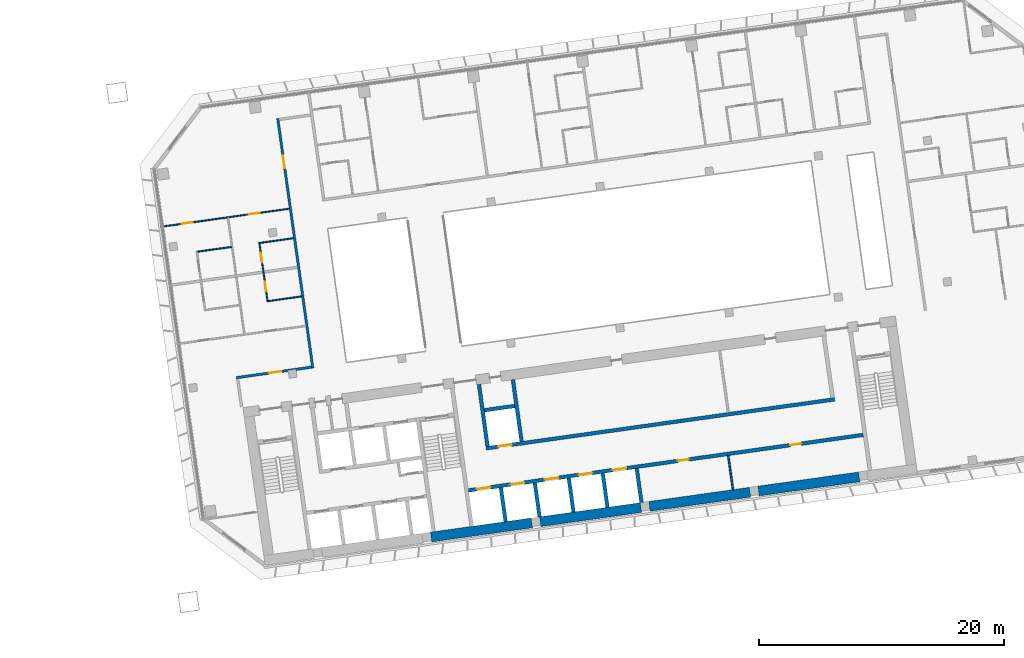
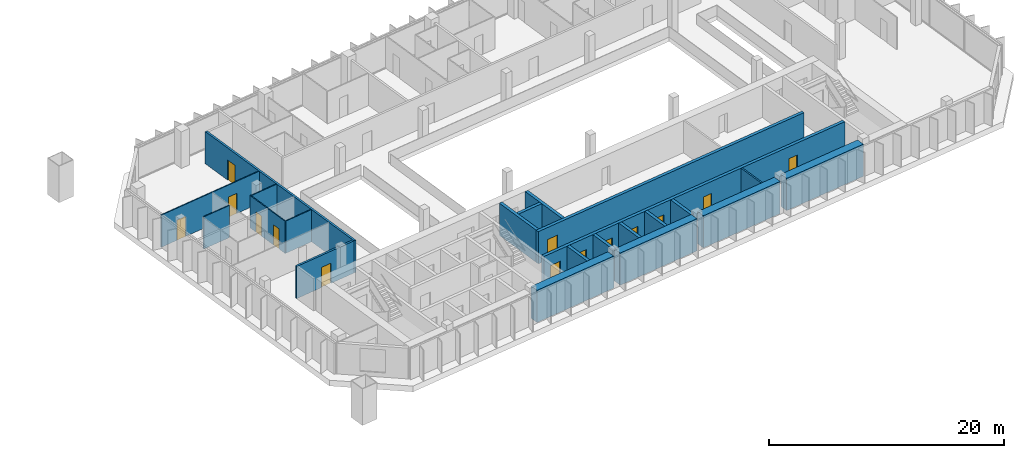
# One storey, part 20 of 27: 22 walls, 14 doors, 14 openings.
"""IFC4 building model written with IfcOpenShell, lengths in metres."""

from ifc_helpers import new_model, si_unit, direction, frame, frame_2d, origin, place, context, subcontext, project, spatial, rectangle, extrude, material, layer, layer_set, type_object, element, fill, save


model = new_model("IFC4")

# Units and contexts
model_context = context("Model", 3, precision=1e-05, world=origin(), true_north=direction((0.0, 1.0)))
body_context = subcontext(model_context, "Body", "Model", "MODEL_VIEW")
ifc_project = project(units=[si_unit("LENGTHUNIT", "METRE"), si_unit("AREAUNIT", "SQUARE_METRE"), si_unit("VOLUMEUNIT", "CUBIC_METRE"), si_unit("PLANEANGLEUNIT", "RADIAN"), si_unit("MASSUNIT", "GRAM", prefix="KILO")], contexts=[model_context])

# Site, building, storey
site_placement = place(None, origin())
site = spatial("IfcSite", under=ifc_project, at=site_placement, CompositionType="ELEMENT")
building_placement = place(site_placement, origin())
building = spatial("IfcBuilding", under=site, at=building_placement, Name="Mirante Cascada Hotel Towers", CompositionType="ELEMENT")
storey_placement = place(building_placement, frame((0.0, 0.0, 117.7)))
storey = spatial("IfcBuildingStorey", under=building, at=storey_placement, Name="L26", CompositionType="ELEMENT", Elevation=117.7)

# Wall, opening, door
ifc_material_1 = material(Name="Fire-rated plasterboard on metal studs")
ifc_layer_1 = layer(ifc_material_1, 0.2)
ifc_layer_set_1 = layer_set([ifc_layer_1], Name="Compartment wall 200 EI 120")
wall_type_1 = type_object("IfcWallType", Name="Compartment wall 200 EI 120", PredefinedType="PARTITIONING", material=ifc_layer_set_1)
wall_1_placement = place(storey_placement, frame((40.97, -3.8917, 0.0), z_axis=(0.0, 0.0, 1.0), x_axis=(-0.9902695, -0.1391629, 0.0)))
wall_1 = element("IfcWall", 1, at=wall_1_placement, inside=storey, type_object=wall_type_1, Name="Wall 2-L26-02", PredefinedType="PARTITIONING", context=body_context, shape_type="SweptSolid", body=[
    extrude(rectangle(XDim=6.1999, YDim=0.2, at=frame_2d((3.1, 0.0))), origin(), (0.0, 0.0, 1.0), 3.35),
])
opening_1_placement = place(wall_1_placement, frame((2.5, 0.0, 0.0)))
opening_1 = element("IfcOpeningElement", 2, at=opening_1_placement, cuts=wall_1, Name="Opening D2-L26-02", PredefinedType="OPENING", context=body_context, shape_type="SweptSolid", body=[
    extrude(rectangle(XDim=1.0, YDim=2.1, at=frame_2d((0.5, 1.05))), frame((0.0, 0.1, 0.0), z_axis=(0.0, -1.0, 0.0), x_axis=(1.0, 0.0, 0.0)), (0.0, 0.0, 1.0), 0.2),
])
ifc_material_2 = material(Name="Fire-rated timber door leaf", Category="wood")
door_type_1 = type_object("IfcDoorType", Name="Entrance door DG1 1000x2100 EI 60", OperationType="SINGLE_SWING_LEFT", PredefinedType="DOOR", material=ifc_material_2)
door_1_placement = place(opening_1_placement, origin())
door_1 = element("IfcDoor", 3, at=door_1_placement, inside=storey, type_object=door_type_1, Name="Door D2-L26-02", OperationType="SINGLE_SWING_LEFT", OverallHeight=2.1, OverallWidth=1.0, PredefinedType="DOOR", context=body_context, shape_type="SweptSolid", body=[
    extrude(rectangle(XDim=1.0, YDim=2.1, at=frame_2d((0.5, 1.05))), frame((0.0, 0.025, 0.0), z_axis=(0.0, -1.0, 0.0), x_axis=(1.0, 0.0, 0.0)), (0.0, 0.0, 1.0), 0.05),
])
fill(opening_1, door_1)

wall_2_placement = place(storey_placement, frame((38.216, 16.4227, 0.0), z_axis=(0.0, 0.0, 1.0), x_axis=(0.1391749, -0.9902678, 0.0)))
wall_2 = element("IfcWall", 4, at=wall_2_placement, inside=storey, type_object=wall_type_1, Name="Wall 2-L26-36", PredefinedType="PARTITIONING", context=body_context, shape_type="SweptSolid", body=[
    extrude(rectangle(XDim=20.6, YDim=0.2, at=frame_2d((10.3, 0.0))), origin(), (0.0, 0.0, 1.0), 3.35),
])
opening_2_placement = place(wall_2_placement, frame((3.1, 0.0, 0.0)))
opening_2 = element("IfcOpeningElement", 5, at=opening_2_placement, cuts=wall_2, Name="Opening D2-L26-27", PredefinedType="OPENING", context=body_context, shape_type="SweptSolid", body=[
    extrude(rectangle(XDim=1.0, YDim=2.1, at=frame_2d((0.5, 1.05))), frame((0.0, 0.1, 0.0), z_axis=(0.0, -1.0, 0.0), x_axis=(1.0, 0.0, 0.0)), (0.0, 0.0, 1.0), 0.2),
])
door_2_placement = place(opening_2_placement, frame((1.0, 0.0, 0.0), z_axis=(0.0, 0.0, 1.0), x_axis=(-1.0, 0.0, 0.0)))
door_2 = element("IfcDoor", 6, at=door_2_placement, inside=storey, type_object=door_type_1, Name="Door D2-L26-27", OperationType="SINGLE_SWING_RIGHT", OverallHeight=2.1, OverallWidth=1.0, PredefinedType="DOOR", context=body_context, shape_type="SweptSolid", body=[
    extrude(rectangle(XDim=1.0, YDim=2.1, at=frame_2d((0.5, 1.05))), frame((0.0, 0.025, 0.0), z_axis=(0.0, -1.0, 0.0), x_axis=(1.0, 0.0, 0.0)), (0.0, 0.0, 1.0), 0.05),
])
fill(opening_2, door_2)

# Walls
ifc_material_3 = material(Name="Masonry block", Category="masonry")
ifc_layer_2 = layer(ifc_material_3, 0.15)
ifc_layer_set_2 = layer_set([ifc_layer_2], Name="Core room partition 150 block EI 30")
wall_type_2 = type_object("IfcWallType", Name="Core room partition 150 block EI 30", PredefinedType="PARTITIONING", material=ifc_layer_set_2)
wall_3_placement = place(storey_placement, frame((75.3976, -13.8977, 0.0), z_axis=(0.0, 0.0, 1.0), x_axis=(-0.139141, 0.9902726, 0.0)))
element("IfcWall", 7, at=wall_3_placement, inside=storey, type_object=wall_type_2, Name="Core wall partition T2 L26 5", PredefinedType="PARTITIONING", context=body_context, shape_type="SweptSolid", body=[
    extrude(rectangle(XDim=2.8, YDim=0.15, at=frame_2d((1.4, 0.0))), origin(), (0.0, 0.0, 1.0), 3.35),
])
ifc_material_4 = material(Name="Plasterboard on metal studs")
ifc_layer_3 = layer(ifc_material_4, 0.1)
ifc_layer_set_3 = layer_set([ifc_layer_3], Name="Partition 100")
wall_type_3 = type_object("IfcWallType", Name="Partition 100", PredefinedType="PARTITIONING", material=ifc_layer_set_3)
wall_4_placement = place(storey_placement, frame((37.435, 1.5021, 0.0), z_axis=(0.0, 0.0, 1.0), x_axis=(0.9902641, 0.1392013, 0.0)))
element("IfcWall", 8, at=wall_4_placement, inside=storey, type_object=wall_type_3, Name="Wall 2-L26-07", PredefinedType="PARTITIONING", context=body_context, shape_type="SweptSolid", body=[
    extrude(rectangle(XDim=2.75, YDim=0.1, at=frame_2d((1.375, 0.0))), origin(), (0.0, 0.0, 1.0), 3.35),
])
wall_5_placement = place(storey_placement, frame((34.4398, 5.9284, 0.0), z_axis=(0.0, 0.0, 1.0), x_axis=(-0.9902677, -0.139176, 0.0)))
element("IfcWall", 9, at=wall_5_placement, inside=storey, type_object=wall_type_3, Name="Wall 2-L26-10", PredefinedType="PARTITIONING", context=body_context, shape_type="SweptSolid", body=[
    extrude(rectangle(XDim=2.8001, YDim=0.1, at=frame_2d((1.4, 0.0))), origin(), (0.0, 0.0, 1.0), 3.35),
])
wall_6_placement = place(storey_placement, frame((36.7669, 6.2554, 0.0), z_axis=(0.0, 0.0, 1.0), x_axis=(0.9902698, 0.1391607, 0.0)))
element("IfcWall", 10, at=wall_6_placement, inside=storey, type_object=wall_type_3, Name="Wall 2-L26-11", PredefinedType="PARTITIONING", context=body_context, shape_type="SweptSolid", body=[
    extrude(rectangle(XDim=2.7501, YDim=0.1, at=frame_2d((1.3751, 0.0))), origin(), (0.0, 0.0, 1.0), 3.35),
])

# Wall, openings, doors
wall_7_placement = place(storey_placement, frame((39.1515, 9.0479, 0.0), z_axis=(0.0, 0.0, 1.0), x_axis=(-0.9902671, -0.1391797, 0.0)))
wall_7 = element("IfcWall", 11, at=wall_7_placement, inside=storey, type_object=wall_type_3, Name="Wall 2-L26-14", PredefinedType="PARTITIONING", context=body_context, shape_type="SweptSolid", body=[
    extrude(rectangle(XDim=10.6, YDim=0.1, at=frame_2d((5.3, 0.0))), origin(), (0.0, 0.0, 1.0), 3.35),
])
opening_3_placement = place(wall_7_placement, frame((7.975, 0.0, 0.0)))
opening_3 = element("IfcOpeningElement", 12, at=opening_3_placement, cuts=wall_7, Name="Opening D2-L26-05", PredefinedType="OPENING", context=body_context, shape_type="SweptSolid", body=[
    extrude(rectangle(XDim=0.9, YDim=2.1, at=frame_2d((0.45, 1.05))), frame((0.0, 0.05, 0.0), z_axis=(0.0, -1.0, 0.0), x_axis=(1.0, 0.0, 0.0)), (0.0, 0.0, 1.0), 0.1),
])
opening_4_placement = place(wall_7_placement, frame((2.425, 0.0, 0.0)))
opening_4 = element("IfcOpeningElement", 13, at=opening_4_placement, cuts=wall_7, Name="Opening D2-L26-06", PredefinedType="OPENING", context=body_context, shape_type="SweptSolid", body=[
    extrude(rectangle(XDim=0.9, YDim=2.1, at=frame_2d((0.45, 1.05))), frame((0.0, 0.05, 0.0), z_axis=(0.0, -1.0, 0.0), x_axis=(1.0, 0.0, 0.0)), (0.0, 0.0, 1.0), 0.1),
])
ifc_material_5 = material(Name="Timber door leaf", Category="wood")
door_type_2 = type_object("IfcDoorType", Name="Room door DG3 900x2100", OperationType="SINGLE_SWING_LEFT", PredefinedType="DOOR", material=ifc_material_5)
door_3_placement = place(opening_3_placement, frame((0.9, 0.0, 0.0), z_axis=(0.0, 0.0, 1.0), x_axis=(-1.0, 0.0, 0.0)))
door_3 = element("IfcDoor", 14, at=door_3_placement, inside=storey, type_object=door_type_2, Name="Door D2-L26-05", OperationType="SINGLE_SWING_RIGHT", OverallHeight=2.1, OverallWidth=0.9, PredefinedType="DOOR", context=body_context, shape_type="SweptSolid", body=[
    extrude(rectangle(XDim=0.9, YDim=2.1, at=frame_2d((0.45, 1.05))), frame((0.0, 0.025, 0.0), z_axis=(0.0, -1.0, 0.0), x_axis=(1.0, 0.0, 0.0)), (0.0, 0.0, 1.0), 0.05),
])
fill(opening_3, door_3)
door_4_placement = place(opening_4_placement, frame((0.9, 0.0, 0.0), z_axis=(0.0, 0.0, 1.0), x_axis=(-1.0, 0.0, 0.0)))
door_4 = element("IfcDoor", 15, at=door_4_placement, inside=storey, type_object=door_type_2, Name="Door D2-L26-06", OperationType="SINGLE_SWING_RIGHT", OverallHeight=2.1, OverallWidth=0.9, PredefinedType="DOOR", context=body_context, shape_type="SweptSolid", body=[
    extrude(rectangle(XDim=0.9, YDim=2.1, at=frame_2d((0.45, 1.05))), frame((0.0, 0.025, 0.0), z_axis=(0.0, -1.0, 0.0), x_axis=(1.0, 0.0, 0.0)), (0.0, 0.0, 1.0), 0.05),
])
fill(opening_4, door_4)

wall_8_placement = place(storey_placement, frame((37.3924, 1.4457, 0.0), z_axis=(0.0, 0.0, 1.0), x_axis=(-0.1391638, 0.9902694, 0.0)))
wall_8 = element("IfcWall", 16, at=wall_8_placement, inside=storey, type_object=wall_type_3, Name="Wall 2-L26-35", PredefinedType="PARTITIONING", context=body_context, shape_type="SweptSolid", body=[
    extrude(rectangle(XDim=4.9, YDim=0.1, at=frame_2d((2.45, 0.0))), origin(), (0.0, 0.0, 1.0), 3.35),
])
opening_5_placement = place(wall_8_placement, frame((0.85, 0.0, 0.0)))
opening_5 = element("IfcOpeningElement", 17, at=opening_5_placement, cuts=wall_8, Name="Opening D2-L26-25", PredefinedType="OPENING", context=body_context, shape_type="SweptSolid", body=[
    extrude(rectangle(XDim=0.8, YDim=2.1, at=frame_2d((0.4, 1.05))), frame((0.0, 0.05, 0.0), z_axis=(0.0, -1.0, 0.0), x_axis=(1.0, 0.0, 0.0)), (0.0, 0.0, 1.0), 0.1),
])
opening_6_placement = place(wall_8_placement, frame((3.25, 0.0, 0.0)))
opening_6 = element("IfcOpeningElement", 18, at=opening_6_placement, cuts=wall_8, Name="Opening D2-L26-26", PredefinedType="OPENING", context=body_context, shape_type="SweptSolid", body=[
    extrude(rectangle(XDim=0.8, YDim=2.1, at=frame_2d((0.4, 1.05))), frame((0.0, 0.05, 0.0), z_axis=(0.0, -1.0, 0.0), x_axis=(1.0, 0.0, 0.0)), (0.0, 0.0, 1.0), 0.1),
])
ifc_material_6 = material(Name="Timber door leaf", Category="wood")
door_type_3 = type_object("IfcDoorType", Name="Bathroom door DG4 800x2100", OperationType="SINGLE_SWING_LEFT", PredefinedType="DOOR", material=ifc_material_6)
door_5_placement = place(opening_5_placement, frame((0.8, 0.0, 0.0), z_axis=(0.0, 0.0, 1.0), x_axis=(-1.0, 0.0, 0.0)))
door_5 = element("IfcDoor", 19, at=door_5_placement, inside=storey, type_object=door_type_3, Name="Door D2-L26-25", OperationType="SINGLE_SWING_RIGHT", OverallHeight=2.1, OverallWidth=0.8, PredefinedType="DOOR", context=body_context, shape_type="SweptSolid", body=[
    extrude(rectangle(XDim=0.8, YDim=2.1, at=frame_2d((0.4, 1.05))), frame((0.0, 0.025, 0.0), z_axis=(0.0, -1.0, 0.0), x_axis=(1.0, 0.0, 0.0)), (0.0, 0.0, 1.0), 0.05),
])
fill(opening_5, door_5)
door_6_placement = place(opening_6_placement, frame((0.8, 0.0, 0.0), z_axis=(0.0, 0.0, 1.0), x_axis=(-1.0, 0.0, 0.0)))
door_6 = element("IfcDoor", 20, at=door_6_placement, inside=storey, type_object=door_type_3, Name="Door D2-L26-26", OperationType="SINGLE_SWING_RIGHT", OverallHeight=2.1, OverallWidth=0.8, PredefinedType="DOOR", context=body_context, shape_type="SweptSolid", body=[
    extrude(rectangle(XDim=0.8, YDim=2.1, at=frame_2d((0.4, 1.05))), frame((0.0, 0.025, 0.0), z_axis=(0.0, -1.0, 0.0), x_axis=(1.0, 0.0, 0.0)), (0.0, 0.0, 1.0), 0.05),
])
fill(opening_6, door_6)

ifc_material_7 = material(Name="Concrete C50/60", Category="concrete")
ifc_layer_4 = layer(ifc_material_7, 0.3)
ifc_layer_set_4 = layer_set([ifc_layer_4], Name="RC core wall 300 C50/60")
wall_type_4 = type_object("IfcWallType", Name="RC core wall 300 C50/60", PredefinedType="SHEAR", material=ifc_layer_set_4)
wall_9_placement = place(storey_placement, frame((53.7953, -13.9547, 0.0), z_axis=(0.0, 0.0, 1.0), x_axis=(0.990268, 0.1391733, 0.0)))
wall_9 = element("IfcWall", 21, at=wall_9_placement, inside=storey, type_object=wall_type_4, Name="Core wall T2:L26:25", PredefinedType="SHEAR", context=body_context, shape_type="SweptSolid", body=[
    extrude(rectangle(XDim=32.5501, YDim=0.3, at=frame_2d((16.275, 0.0))), origin(), (0.0, 0.0, 1.0), 3.35),
])
opening_7_placement = place(wall_9_placement, frame((0.7, 0.0, 0.0)))
opening_7 = element("IfcOpeningElement", 22, at=opening_7_placement, cuts=wall_9, Name="Opening LD", PredefinedType="OPENING", context=body_context, shape_type="SweptSolid", body=[
    extrude(rectangle(XDim=1.1, YDim=2.1, at=frame_2d((0.55, 1.05))), frame((0.0, 0.15, 0.0), z_axis=(0.0, -1.0, 0.0), x_axis=(1.0, 0.0, 0.0)), (0.0, 0.0, 1.0), 0.3),
])
opening_8_placement = place(wall_9_placement, frame((3.5, 0.0, 0.0)))
opening_8 = element("IfcOpeningElement", 23, at=opening_8_placement, cuts=wall_9, Name="Opening LD", PredefinedType="OPENING", context=body_context, shape_type="SweptSolid", body=[
    extrude(rectangle(XDim=1.1, YDim=2.1, at=frame_2d((0.55, 1.05))), frame((0.0, 0.15, 0.0), z_axis=(0.0, -1.0, 0.0), x_axis=(1.0, 0.0, 0.0)), (0.0, 0.0, 1.0), 0.3),
])
opening_9_placement = place(wall_9_placement, frame((6.3, 0.0, 0.0)))
opening_9 = element("IfcOpeningElement", 24, at=opening_9_placement, cuts=wall_9, Name="Opening LD", PredefinedType="OPENING", context=body_context, shape_type="SweptSolid", body=[
    extrude(rectangle(XDim=1.1, YDim=2.1, at=frame_2d((0.55, 1.05))), frame((0.0, 0.15, 0.0), z_axis=(0.0, -1.0, 0.0), x_axis=(1.0, 0.0, 0.0)), (0.0, 0.0, 1.0), 0.3),
])
opening_10_placement = place(wall_9_placement, frame((9.1, 0.0, 0.0)))
opening_10 = element("IfcOpeningElement", 25, at=opening_10_placement, cuts=wall_9, Name="Opening LD", PredefinedType="OPENING", context=body_context, shape_type="SweptSolid", body=[
    extrude(rectangle(XDim=1.1, YDim=2.1, at=frame_2d((0.55, 1.05))), frame((0.0, 0.15, 0.0), z_axis=(0.0, -1.0, 0.0), x_axis=(1.0, 0.0, 0.0)), (0.0, 0.0, 1.0), 0.3),
])
opening_11_placement = place(wall_9_placement, frame((11.9, 0.0, 0.0)))
opening_11 = element("IfcOpeningElement", 26, at=opening_11_placement, cuts=wall_9, Name="Opening LD", PredefinedType="OPENING", context=body_context, shape_type="SweptSolid", body=[
    extrude(rectangle(XDim=1.1, YDim=2.1, at=frame_2d((0.55, 1.05))), frame((0.0, 0.15, 0.0), z_axis=(0.0, -1.0, 0.0), x_axis=(1.0, 0.0, 0.0)), (0.0, 0.0, 1.0), 0.3),
])
opening_12_placement = place(wall_9_placement, frame((17.25, 0.0, 0.0)))
opening_12 = element("IfcOpeningElement", 27, at=opening_12_placement, cuts=wall_9, Name="Opening D2-26-C26", PredefinedType="OPENING", context=body_context, shape_type="SweptSolid", body=[
    extrude(rectangle(XDim=0.9, YDim=2.1, at=frame_2d((0.45, 1.05))), frame((0.0, 0.15, 0.0), z_axis=(0.0, -1.0, 0.0), x_axis=(1.0, 0.0, 0.0)), (0.0, 0.0, 1.0), 0.3),
])
opening_13_placement = place(wall_9_placement, frame((26.525, 0.0, 0.0)))
opening_13 = element("IfcOpeningElement", 28, at=opening_13_placement, cuts=wall_9, Name="Opening D2-26-C27", PredefinedType="OPENING", context=body_context, shape_type="SweptSolid", body=[
    extrude(rectangle(XDim=0.9, YDim=2.1, at=frame_2d((0.45, 1.05))), frame((0.0, 0.15, 0.0), z_axis=(0.0, -1.0, 0.0), x_axis=(1.0, 0.0, 0.0)), (0.0, 0.0, 1.0), 0.3),
])
ifc_material_8 = material(Name="Hollow metal fire door leaf")
door_type_4 = type_object("IfcDoorType", Name="Fire door 900x2100 FD60", OperationType="NOTDEFINED", PredefinedType="DOOR", material=ifc_material_8)
door_7_placement = place(opening_12_placement, frame((0.9, 0.0, 0.0), z_axis=(0.0, 0.0, 1.0), x_axis=(-1.0, 0.0, 0.0)))
door_7 = element("IfcDoor", 29, at=door_7_placement, inside=storey, type_object=door_type_4, Name="Room door T2 L26 26", OperationType="SINGLE_SWING_RIGHT", OverallHeight=2.1, OverallWidth=0.9, PredefinedType="DOOR", context=body_context, shape_type="SweptSolid", body=[
    extrude(rectangle(XDim=0.9, YDim=2.1, at=frame_2d((0.45, 1.05))), frame((0.0, 0.025, 0.0), z_axis=(0.0, -1.0, 0.0), x_axis=(1.0, 0.0, 0.0)), (0.0, 0.0, 1.0), 0.05),
])
fill(opening_12, door_7)
door_8_placement = place(opening_13_placement, frame((0.9, 0.0, 0.0), z_axis=(0.0, 0.0, 1.0), x_axis=(-1.0, 0.0, 0.0)))
door_8 = element("IfcDoor", 30, at=door_8_placement, inside=storey, type_object=door_type_4, Name="Room door T2 L26 27", OperationType="SINGLE_SWING_RIGHT", OverallHeight=2.1, OverallWidth=0.9, PredefinedType="DOOR", context=body_context, shape_type="SweptSolid", body=[
    extrude(rectangle(XDim=0.9, YDim=2.1, at=frame_2d((0.45, 1.05))), frame((0.0, 0.025, 0.0), z_axis=(0.0, -1.0, 0.0), x_axis=(1.0, 0.0, 0.0)), (0.0, 0.0, 1.0), 0.05),
])
fill(opening_13, door_8)
ifc_material_9 = material(Name="Stainless steel", Category="steel")
door_type_5 = type_object("IfcDoorType", Name="Lift landing door 1100x2100 EI 120", OperationType="DOUBLE_DOOR_SLIDING", PredefinedType="DOOR", material=ifc_material_9)
door_9_placement = place(opening_7_placement, origin())
door_9 = element("IfcDoor", 31, at=door_9_placement, inside=storey, type_object=door_type_5, Name="Lift landing door LR2-1 L26", OperationType="DOUBLE_DOOR_SLIDING", OverallHeight=2.1, OverallWidth=1.1, PredefinedType="DOOR", context=body_context, shape_type="SweptSolid", body=[
    extrude(rectangle(XDim=0.545, YDim=2.1, at=frame_2d((0.2725, 1.05))), frame((0.0, 0.025, 0.0), z_axis=(0.0, -1.0, 0.0), x_axis=(1.0, 0.0, 0.0)), (0.0, 0.0, 1.0), 0.05),
    extrude(rectangle(XDim=0.545, YDim=2.1, at=frame_2d((0.8275, 1.05))), frame((0.0, 0.025, 0.0), z_axis=(0.0, -1.0, 0.0), x_axis=(1.0, 0.0, 0.0)), (0.0, 0.0, 1.0), 0.05),
])
fill(opening_7, door_9)
door_10_placement = place(opening_8_placement, origin())
door_10 = element("IfcDoor", 32, at=door_10_placement, inside=storey, type_object=door_type_5, Name="Lift landing door LR2-2 L26", OperationType="DOUBLE_DOOR_SLIDING", OverallHeight=2.1, OverallWidth=1.1, PredefinedType="DOOR", context=body_context, shape_type="SweptSolid", body=[
    extrude(rectangle(XDim=0.545, YDim=2.1, at=frame_2d((0.2725, 1.05))), frame((0.0, 0.025, 0.0), z_axis=(0.0, -1.0, 0.0), x_axis=(1.0, 0.0, 0.0)), (0.0, 0.0, 1.0), 0.05),
    extrude(rectangle(XDim=0.545, YDim=2.1, at=frame_2d((0.8275, 1.05))), frame((0.0, 0.025, 0.0), z_axis=(0.0, -1.0, 0.0), x_axis=(1.0, 0.0, 0.0)), (0.0, 0.0, 1.0), 0.05),
])
fill(opening_8, door_10)
door_11_placement = place(opening_9_placement, origin())
door_11 = element("IfcDoor", 33, at=door_11_placement, inside=storey, type_object=door_type_5, Name="Lift landing door SV2-1 L26", OperationType="DOUBLE_DOOR_SLIDING", OverallHeight=2.1, OverallWidth=1.1, PredefinedType="DOOR", context=body_context, shape_type="SweptSolid", body=[
    extrude(rectangle(XDim=0.545, YDim=2.1, at=frame_2d((0.2725, 1.05))), frame((0.0, 0.025, 0.0), z_axis=(0.0, -1.0, 0.0), x_axis=(1.0, 0.0, 0.0)), (0.0, 0.0, 1.0), 0.05),
    extrude(rectangle(XDim=0.545, YDim=2.1, at=frame_2d((0.8275, 1.05))), frame((0.0, 0.025, 0.0), z_axis=(0.0, -1.0, 0.0), x_axis=(1.0, 0.0, 0.0)), (0.0, 0.0, 1.0), 0.05),
])
fill(opening_9, door_11)
door_12_placement = place(opening_10_placement, origin())
door_12 = element("IfcDoor", 34, at=door_12_placement, inside=storey, type_object=door_type_5, Name="Lift landing door SV2-2 L26", OperationType="DOUBLE_DOOR_SLIDING", OverallHeight=2.1, OverallWidth=1.1, PredefinedType="DOOR", context=body_context, shape_type="SweptSolid", body=[
    extrude(rectangle(XDim=0.545, YDim=2.1, at=frame_2d((0.2725, 1.05))), frame((0.0, 0.025, 0.0), z_axis=(0.0, -1.0, 0.0), x_axis=(1.0, 0.0, 0.0)), (0.0, 0.0, 1.0), 0.05),
    extrude(rectangle(XDim=0.545, YDim=2.1, at=frame_2d((0.8275, 1.05))), frame((0.0, 0.025, 0.0), z_axis=(0.0, -1.0, 0.0), x_axis=(1.0, 0.0, 0.0)), (0.0, 0.0, 1.0), 0.05),
])
fill(opening_10, door_12)
door_13_placement = place(opening_11_placement, origin())
door_13 = element("IfcDoor", 35, at=door_13_placement, inside=storey, type_object=door_type_5, Name="Lift landing door SV2-3 L26", OperationType="DOUBLE_DOOR_SLIDING", OverallHeight=2.1, OverallWidth=1.1, PredefinedType="DOOR", context=body_context, shape_type="SweptSolid", body=[
    extrude(rectangle(XDim=0.545, YDim=2.1, at=frame_2d((0.2725, 1.05))), frame((0.0, 0.025, 0.0), z_axis=(0.0, -1.0, 0.0), x_axis=(1.0, 0.0, 0.0)), (0.0, 0.0, 1.0), 0.05),
    extrude(rectangle(XDim=0.545, YDim=2.1, at=frame_2d((0.8275, 1.05))), frame((0.0, 0.025, 0.0), z_axis=(0.0, -1.0, 0.0), x_axis=(1.0, 0.0, 0.0)), (0.0, 0.0, 1.0), 0.05),
])
fill(opening_11, door_13)

# Walls
for number, where, z_axis, x_axis, name in (
    (36, (56.8301, -16.5072, 0.0), (0.0, 0.0, 1.0), (-0.139176, 0.9902677, 0.0), "Core wall T2:L26:26"),
    (37, (59.6029, -16.1175, 0.0), (0.0, 0.0, 1.0), (-0.139176, 0.9902677, 0.0), "Core wall T2:L26:27"),
    (38, (62.3756, -15.7278, 0.0), (0.0, 0.0, 1.0), (-0.139176, 0.9902677, 0.0), "Core wall T2:L26:28"),
    (39, (65.1484, -15.3381, 0.0), (0.0, 0.0, 1.0), (-0.139176, 0.9902677, 0.0), "Core wall T2:L26:29"),
):
    element("IfcWall", number, at=place(storey_placement, frame(where, z_axis=z_axis, x_axis=x_axis)), inside=storey, type_object=wall_type_4, Name=name, PredefinedType="SHEAR", context=body_context, shape_type="SweptSolid", body=[
        extrude(rectangle(XDim=2.8001, YDim=0.3, at=frame_2d((1.4, 0.0))), origin(), (0.0, 0.0, 1.0), 3.35),
    ])
wall_10_placement = place(storey_placement, frame((67.9211, -14.9484, 0.0), z_axis=(0.0, 0.0, 1.0), x_axis=(-0.139181, 0.990267, 0.0)))
element("IfcWall", 40, at=wall_10_placement, inside=storey, type_object=wall_type_4, Name="Core wall T2:L26:30", PredefinedType="SHEAR", context=body_context, shape_type="SweptSolid", body=[
    extrude(rectangle(XDim=2.8, YDim=0.3, at=frame_2d((1.4, 0.0))), origin(), (0.0, 0.0, 1.0), 3.35),
])

# Wall, opening, door
wall_11_placement = place(storey_placement, frame((55.2315, -10.5214, 0.0), z_axis=(0.0, 0.0, 1.0), x_axis=(0.9902682, 0.1391722, 0.0)))
wall_11 = element("IfcWall", 41, at=wall_11_placement, inside=storey, type_object=wall_type_4, Name="Core wall T2:L26:32", PredefinedType="SHEAR", context=body_context, shape_type="SweptSolid", body=[
    extrude(rectangle(XDim=28.75, YDim=0.3, at=frame_2d((14.375, 0.0))), origin(), (0.0, 0.0, 1.0), 3.35),
])
opening_14_placement = place(wall_11_placement, frame((1.0, 0.0, 0.0)))
opening_14 = element("IfcOpeningElement", 42, at=opening_14_placement, cuts=wall_11, Name="Opening LD", PredefinedType="OPENING", context=body_context, shape_type="SweptSolid", body=[
    extrude(rectangle(XDim=1.1, YDim=2.1, at=frame_2d((0.55, 1.05))), frame((0.0, 0.15, 0.0), z_axis=(0.0, -1.0, 0.0), x_axis=(1.0, 0.0, 0.0)), (0.0, 0.0, 1.0), 0.3),
])
door_14_placement = place(opening_14_placement, origin())
door_14 = element("IfcDoor", 43, at=door_14_placement, inside=storey, type_object=door_type_5, Name="Lift landing door LR2-3 L26", OperationType="DOUBLE_DOOR_SLIDING", OverallHeight=2.1, OverallWidth=1.1, PredefinedType="DOOR", context=body_context, shape_type="SweptSolid", body=[
    extrude(rectangle(XDim=0.545, YDim=2.1, at=frame_2d((0.2725, 1.05))), frame((0.0, 0.025, 0.0), z_axis=(0.0, -1.0, 0.0), x_axis=(1.0, 0.0, 0.0)), (0.0, 0.0, 1.0), 0.05),
    extrude(rectangle(XDim=0.545, YDim=2.1, at=frame_2d((0.8275, 1.05))), frame((0.0, 0.025, 0.0), z_axis=(0.0, -1.0, 0.0), x_axis=(1.0, 0.0, 0.0)), (0.0, 0.0, 1.0), 0.05),
])
fill(opening_14, door_14)

# Walls
for number, where, z_axis, x_axis, name in (
    (44, (55.3592, -10.352, 0.0), (0.0, 0.0, 1.0), (-0.1391755, 0.9902677, 0.0), "Core wall T2:L26:33"),
    (45, (58.1319, -9.9623, 0.0), (0.0, 0.0, 1.0), (-0.1391755, 0.9902677, 0.0), "Core wall T2:L26:35"),
):
    element("IfcWall", number, at=place(storey_placement, frame(where, z_axis=z_axis, x_axis=x_axis)), inside=storey, type_object=wall_type_4, Name=name, PredefinedType="SHEAR", context=body_context, shape_type="SweptSolid", body=[
        extrude(rectangle(XDim=5.1, YDim=0.3, at=frame_2d((2.55, 0.0))), origin(), (0.0, 0.0, 1.0), 3.35),
    ])
wall_12_placement = place(storey_placement, frame((55.0971, -7.4098, 0.0), z_axis=(0.0, 0.0, 1.0), x_axis=(0.9902701, 0.1391586, 0.0)))
element("IfcWall", 46, at=wall_12_placement, inside=storey, type_object=wall_type_4, Name="Core wall T2:L26:36", PredefinedType="SHEAR", context=body_context, shape_type="SweptSolid", body=[
    extrude(rectangle(XDim=2.5, YDim=0.3, at=frame_2d((1.25, 0.0))), origin(), (0.0, 0.0, 1.0), 3.35),
])
ifc_material_10 = material(Name="Concrete C50/60", Category="concrete")
ifc_layer_5 = layer(ifc_material_10, 0.8)
ifc_layer_set_5 = layer_set([ifc_layer_5], Name="RC core wall 800 C50/60")
wall_type_5 = type_object("IfcWallType", Name="RC core wall 800 C50/60", PredefinedType="SHEAR", material=ifc_layer_set_5)
wall_13_placement = place(storey_placement, frame((50.7461, -17.7661, 0.0), z_axis=(0.0, 0.0, 1.0), x_axis=(0.9902686, 0.1391692, 0.0)))
element("IfcWall", 47, at=wall_13_placement, inside=storey, type_object=wall_type_5, Name="Core wall T2:L26:1.3", PredefinedType="SHEAR", context=body_context, shape_type="SweptSolid", body=[
    extrude(rectangle(XDim=8.3, YDim=0.8, at=frame_2d((4.15, 0.0))), origin(), (0.0, 0.0, 1.0), 3.35),
])
for number, where, z_axis, x_axis, name in (
    (48, (59.6585, -16.5136, 0.0), (0.0, 0.0, 1.0), (0.9902672, 0.1391793, 0.0), "Core wall T2:L26:1.4"),
    (49, (68.5709, -15.261, 0.0), (0.0, 0.0, 1.0), (0.9902689, 0.1391675, 0.0), "Core wall T2:L26:1.5"),
):
    element("IfcWall", number, at=place(storey_placement, frame(where, z_axis=z_axis, x_axis=x_axis)), inside=storey, type_object=wall_type_5, Name=name, PredefinedType="SHEAR", context=body_context, shape_type="SweptSolid", body=[
        extrude(rectangle(XDim=8.3001, YDim=0.8, at=frame_2d((4.15, 0.0))), origin(), (0.0, 0.0, 1.0), 3.35),
    ])
wall_14_placement = place(storey_placement, frame((77.4834, -14.0085, 0.0), z_axis=(0.0, 0.0, 1.0), x_axis=(0.990267, 0.139181, 0.0)))
element("IfcWall", 50, at=wall_14_placement, inside=storey, type_object=wall_type_5, Name="Core wall T2:L26:1.6", PredefinedType="SHEAR", context=body_context, shape_type="SweptSolid", body=[
    extrude(rectangle(XDim=8.3, YDim=0.8, at=frame_2d((4.15, 0.0))), origin(), (0.0, 0.0, 1.0), 3.35),
])

save(model, "model.ifc")
